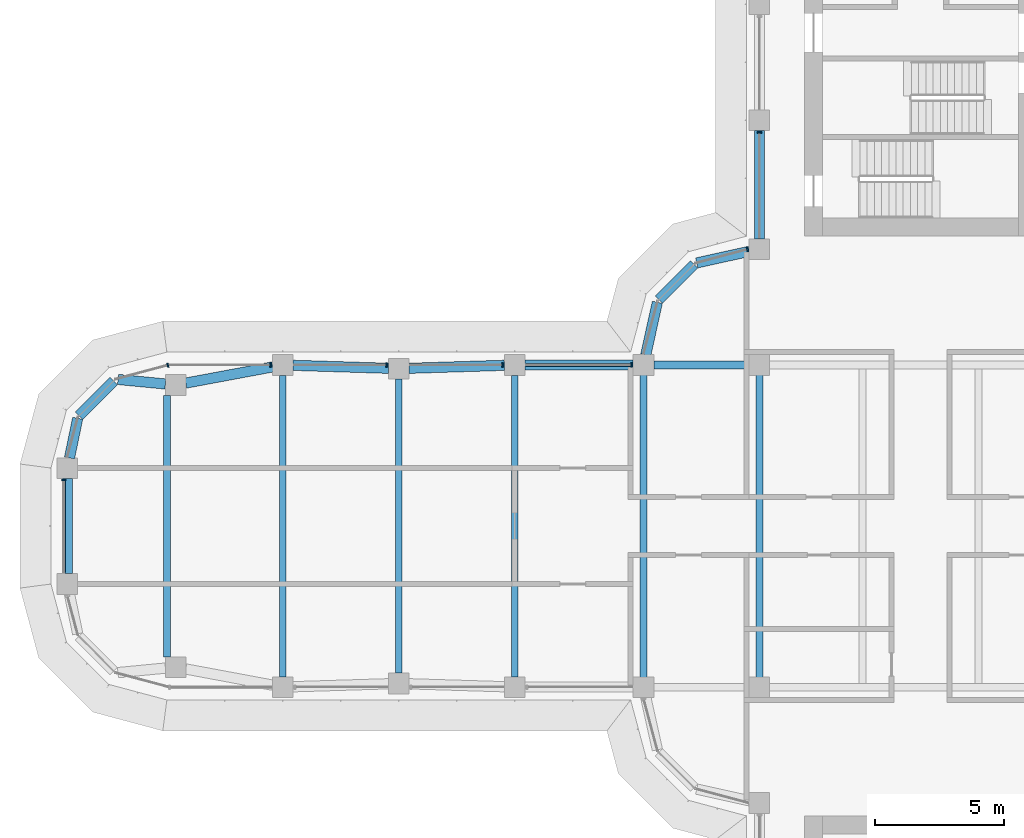
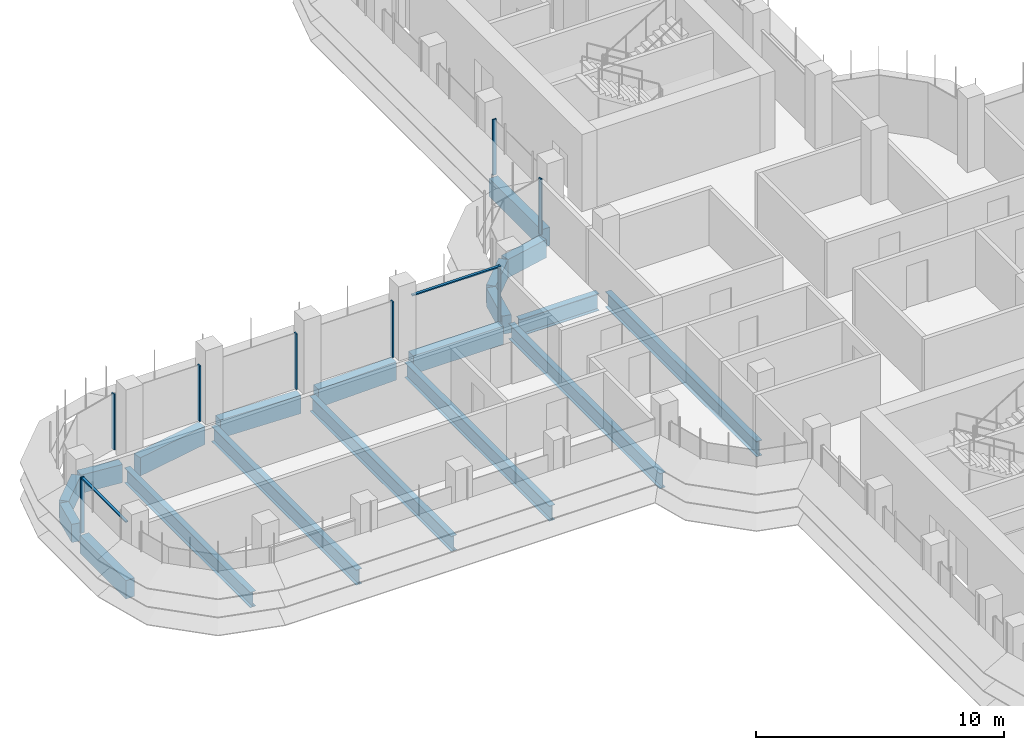
# One storey, part 6 of 19: 19 beams, 10 members, 5 elements without a shape of their own.
"""IFC4 building model written with IfcOpenShell, lengths in metres."""

from ifc_helpers import new_model, si_unit, direction, frame, origin, origin_2d, place, context, subcontext, project, spatial, polyline, rectangle, i_section, outline, extrude, source, transform, mapped, material, material_profile, profile_set, type_object, element, aggregate, save


model = new_model("IFC4")

# Units and contexts
model_context = context("Model", 3, precision=1e-05, world=origin(), true_north=direction((0.0, 1.0)))
body_context = subcontext(model_context, "Body", "Model", "MODEL_VIEW")
ifc_project = project(units=[si_unit("LENGTHUNIT", "METRE"), si_unit("AREAUNIT", "SQUARE_METRE"), si_unit("VOLUMEUNIT", "CUBIC_METRE"), si_unit("PLANEANGLEUNIT", "RADIAN"), si_unit("MASSUNIT", "GRAM", prefix="KILO")], contexts=[model_context])

# Site, building, storey
site_placement = place(None, origin())
site = spatial("IfcSite", under=ifc_project, at=site_placement, CompositionType="ELEMENT")
building_placement = place(site_placement, origin())
building = spatial("IfcBuilding", under=site, at=building_placement, Name="Zarbagh Exchange Tower", CompositionType="ELEMENT")
storey_placement = place(building_placement, frame((0.0, 0.0, 175.199951171875)))
storey = spatial("IfcBuildingStorey", under=building, at=storey_placement, Name="L42", CompositionType="ELEMENT", Elevation=175.199951171875)

# Beams
ifc_material_1 = material(Name="Steel ASTM A992 Gr 50", Category="steel")
ifc_material_profile_1 = material_profile(ifc_material_1, i_section(OverallWidth=0.26416015625, OverallDepth=0.749267578125, WebThickness=0.011962890625, FlangeThickness=0.015380859375, at=origin_2d()), Name="W30X90")
ifc_profile_set_1 = profile_set([ifc_material_profile_1], Name="Steel ASTM A992 Gr 50")
beam_type_1 = type_object("IfcBeamType", Name="Floor beam W30X90", PredefinedType="BEAM", material=ifc_profile_set_1)
for number, where, z_axis, x_axis, name in (
    (1, (-10.75, -6.10400390625, -0.524658203125), (0.0, 1.0, 0.0), (-1.0, 0.0, 0.0), "Steel floor beam"),
    (2, (-6.25, -6.10400390625, -0.524658203125), (0.0, 1.0, 0.0), (-1.0, 0.0, 0.0), "Steel floor beam"),
):
    element("IfcBeam", number, at=place(storey_placement, frame(where, z_axis=z_axis, x_axis=x_axis)), inside=storey, type_object=beam_type_1, Name=name, PredefinedType="BEAM", context=body_context, shape_type="SweptSolid", body=[
        extrude(i_section(OverallWidth=0.26416015625, OverallDepth=0.749267578125, WebThickness=0.011962890625, FlangeThickness=0.015380859375, at=origin_2d()), origin(), (0.0, 0.0, 1.0), 12.2080078125),
    ])
beam_1_placement = place(storey_placement, frame((-15.75, -5.85009765625, -0.524658203125), z_axis=(0.0, 1.0, 0.0), x_axis=(-1.0, 0.0, 0.0)))
element("IfcBeam", 3, at=beam_1_placement, inside=storey, type_object=beam_type_1, Name="Steel floor beam", PredefinedType="BEAM", context=body_context, shape_type="SweptSolid", body=[
    extrude(i_section(OverallWidth=0.26416015625, OverallDepth=0.749267578125, WebThickness=0.011962890625, FlangeThickness=0.015380859375, at=origin_2d()), origin(), (0.0, 0.0, 1.0), 11.7001953125),
])
beam_2_placement = place(storey_placement, frame((-20.25, -5.7099609375, -0.524658203125), z_axis=(0.0, 1.0, 0.0), x_axis=(-1.0, 0.0, 0.0)))
element("IfcBeam", 4, at=beam_2_placement, inside=storey, type_object=beam_type_1, Name="Steel floor beam", PredefinedType="BEAM", context=body_context, shape_type="SweptSolid", body=[
    extrude(i_section(OverallWidth=0.26416015625, OverallDepth=0.749267578125, WebThickness=0.011962890625, FlangeThickness=0.015380859375, at=origin_2d()), origin(), (0.0, 0.0, 1.0), 11.419921875),
])
beam_3_placement = place(storey_placement, frame((-24.75, -5.85009765625, -0.524658203125), z_axis=(0.0, 1.0, 0.0), x_axis=(-1.0, 0.0, 0.0)))
element("IfcBeam", 5, at=beam_3_placement, inside=storey, type_object=beam_type_1, Name="Steel floor beam", PredefinedType="BEAM", context=body_context, shape_type="SweptSolid", body=[
    extrude(i_section(OverallWidth=0.26416015625, OverallDepth=0.749267578125, WebThickness=0.011962890625, FlangeThickness=0.015380859375, at=origin_2d()), origin(), (0.0, 0.0, 1.0), 11.7001953125),
])
beam_4_placement = place(storey_placement, frame((-29.25, -5.074951171875, -0.524658203125), z_axis=(0.0, 1.0, 0.0), x_axis=(-1.0, 0.0, 0.0)))
element("IfcBeam", 6, at=beam_4_placement, inside=storey, type_object=beam_type_1, Name="Steel floor beam", PredefinedType="BEAM", context=body_context, shape_type="SweptSolid", body=[
    extrude(i_section(OverallWidth=0.26416015625, OverallDepth=0.749267578125, WebThickness=0.011962890625, FlangeThickness=0.015380859375, at=origin_2d()), origin(), (0.0, 0.0, 1.0), 10.14990234375),
])
ifc_material_profile_2 = material_profile(ifc_material_1, i_section(OverallWidth=0.2919921875, OverallDepth=0.835693359375, WebThickness=0.013916015625, FlangeThickness=0.018798828125, at=origin_2d()), Name="W33X118")
ifc_profile_set_2 = profile_set([ifc_material_profile_2], Name="Steel ASTM A992 Gr 50")
beam_type_2 = type_object("IfcBeamType", Name="Floor girder W33X118", PredefinedType="BEAM", material=ifc_profile_set_2)
beam_5_placement = place(storey_placement, frame((-10.35009765625, 6.25, -0.56787109375), z_axis=(1.0, 0.0, 0.0), x_axis=(0.0, 1.0, 0.0)))
element("IfcBeam", 7, at=beam_5_placement, inside=storey, type_object=beam_type_2, Name="Steel girder", PredefinedType="BEAM", context=body_context, shape_type="SweptSolid", body=[
    extrude(i_section(OverallWidth=0.2919921875, OverallDepth=0.835693359375, WebThickness=0.013916015625, FlangeThickness=0.018798828125, at=origin_2d()), origin(), (0.0, 0.0, 1.0), 3.7001953125),
])
ifc_material_2 = material(Name="Concrete C50/60", Category="concrete")
ifc_material_profile_3 = material_profile(ifc_material_2, rectangle(XDim=0.39990234375, YDim=0.89990234375, at=origin_2d()), Name="RC spandrel beam 400 x 900 C50/60")
ifc_profile_set_3 = profile_set([ifc_material_profile_3], Name="Concrete C50/60")
beam_type_3 = type_object("IfcBeamType", Name="RC spandrel beam 400 x 900 C50/60", PredefinedType="SPANDREL", material=ifc_profile_set_3)
beam_6_placement = place(storey_placement, frame((-33.110107421875, -1.85009765625, -0.599853515625), z_axis=(0.0, 1.0, 0.0), x_axis=(-1.0, 0.0, 0.0)))
element("IfcBeam", 8, at=beam_6_placement, inside=storey, type_object=beam_type_3, Name="RC spandrel beam", PredefinedType="SPANDREL", context=body_context, shape_type="SweptSolid", body=[
    extrude(rectangle(XDim=0.39990234375, YDim=0.89990234375, at=origin_2d()), origin(), (0.0, 0.0, 1.0), 3.7001953125),
])
beam_7_placement = place(storey_placement, frame((-33.029052734375, 2.6416015625, -0.599853515625), z_axis=(0.20216948151, 0.979350550491, 0.0), x_axis=(-0.979350550491, 0.20216948151, 0.0)))
element("IfcBeam", 9, at=beam_7_placement, inside=storey, type_object=beam_type_3, Name="RC spandrel beam", PredefinedType="SPANDREL", context=body_context, shape_type="SweptSolid", body=[
    extrude(rectangle(XDim=0.39990234375, YDim=0.89990234375, at=origin_2d()), origin(), (0.0, 0.0, 1.0), 1.573486328125),
])
beam_8_placement = place(storey_placement, frame((-32.656494140625, 4.283447265625, -0.599853515625), z_axis=(0.707106781187, 0.707106781187, 0.0), x_axis=(-0.707106781187, 0.707106781187, 0.0)))
element("IfcBeam", 10, at=beam_8_placement, inside=storey, type_object=beam_type_3, Name="RC spandrel beam", PredefinedType="SPANDREL", context=body_context, shape_type="SweptSolid", body=[
    extrude(rectangle(XDim=0.39990234375, YDim=0.89990234375, at=origin_2d()), origin(), (0.0, 0.0, 1.0), 1.9072265625),
])
beam_9_placement = place(storey_placement, frame((-31.147216796875, 5.689697265625, -0.599853515625), z_axis=(0.995435353267, -0.095438239015, 0.0), x_axis=(0.095438239015, 0.995435353267, 0.0)))
element("IfcBeam", 11, at=beam_9_placement, inside=storey, type_object=beam_type_3, Name="RC spandrel beam", PredefinedType="SPANDREL", context=body_context, shape_type="SweptSolid", body=[
    extrude(rectangle(XDim=0.39990234375, YDim=0.89990234375, at=origin_2d()), origin(), (0.0, 0.0, 1.0), 1.849609375),
])
beam_10_placement = place(storey_placement, frame((-28.514892578125, 5.54833984375, -0.599853515625), z_axis=(0.983069862768, 0.183231124313, 0.0), x_axis=(-0.183231124313, 0.983069862768, 0.0)))
element("IfcBeam", 12, at=beam_10_placement, inside=storey, type_object=beam_type_3, Name="RC spandrel beam", PredefinedType="SPANDREL", context=body_context, shape_type="SweptSolid", body=[
    extrude(rectangle(XDim=0.39990234375, YDim=0.89990234375, at=origin_2d()), origin(), (0.0, 0.0, 1.0), 3.4296875),
])
for number, where, z_axis, x_axis, name in (
    (13, (-24.35009765625, 6.237548828125, -0.599853515625), (0.999515416033, -0.031127690444, 0.0), (0.031127690444, 0.999515416033, 0.0), "RC spandrel beam"),
    (14, (-19.85009765625, 6.122314453125, -0.599853515625), (0.999515416033, 0.031127690444, 0.0), (-0.031127690444, 0.999515416033, 0.0), "RC spandrel beam"),
):
    element("IfcBeam", number, at=place(storey_placement, frame(where, z_axis=z_axis, x_axis=x_axis)), inside=storey, type_object=beam_type_3, Name=name, PredefinedType="SPANDREL", context=body_context, shape_type="SweptSolid", body=[
        extrude(rectangle(XDim=0.39990234375, YDim=0.89990234375, at=origin_2d()), origin(), (0.0, 0.0, 1.0), 3.701904296875),
    ])
beam_11_placement = place(storey_placement, frame((-15.35009765625, 6.25, -0.599853515625), z_axis=(1.0, 0.0, 0.0), x_axis=(0.0, 1.0, 0.0)))
element("IfcBeam", 15, at=beam_11_placement, inside=storey, type_object=beam_type_3, Name="RC spandrel beam", PredefinedType="SPANDREL", context=body_context, shape_type="SweptSolid", body=[
    extrude(rectangle(XDim=0.39990234375, YDim=0.89990234375, at=origin_2d()), origin(), (0.0, 0.0, 1.0), 4.2001953125),
])
beam_12_placement = place(storey_placement, frame((-10.66357421875, 6.640625, -0.599853515625), z_axis=(0.216041061437, 0.976384278741, 0.0), x_axis=(-0.976384278741, 0.216041061437, 0.0)))
element("IfcBeam", 16, at=beam_12_placement, inside=storey, type_object=beam_type_3, Name="RC spandrel beam", PredefinedType="SPANDREL", context=body_context, shape_type="SweptSolid", body=[
    extrude(rectangle(XDim=0.39990234375, YDim=0.89990234375, at=origin_2d()), origin(), (0.0, 0.0, 1.0), 2.0927734375),
])
beam_13_placement = place(storey_placement, frame((-10.15771484375, 8.782470703125, -0.599853515625), z_axis=(0.707106781187, 0.707106781187, 0.0), x_axis=(-0.707106781187, 0.707106781187, 0.0)))
element("IfcBeam", 17, at=beam_13_placement, inside=storey, type_object=beam_type_3, Name="RC spandrel beam", PredefinedType="SPANDREL", context=body_context, shape_type="SweptSolid", body=[
    extrude(rectangle(XDim=0.39990234375, YDim=0.89990234375, at=origin_2d()), origin(), (0.0, 0.0, 1.0), 1.94482421875),
])
beam_14_placement = place(storey_placement, frame((-8.68408203125, 10.21142578125, -0.599853515625), z_axis=(0.976384278741, 0.216041061437, 0.0), x_axis=(-0.216041061437, 0.976384278741, 0.0)))
element("IfcBeam", 18, at=beam_14_placement, inside=storey, type_object=beam_type_3, Name="RC spandrel beam", PredefinedType="SPANDREL", context=body_context, shape_type="SweptSolid", body=[
    extrude(rectangle(XDim=0.39990234375, YDim=0.89990234375, at=origin_2d()), origin(), (0.0, 0.0, 1.0), 2.0927734375),
])
beam_15_placement = place(storey_placement, frame((-6.25, 11.14990234375, -0.599853515625), z_axis=(0.0, 1.0, 0.0), x_axis=(-1.0, 0.0, 0.0)))
element("IfcBeam", 19, at=beam_15_placement, inside=storey, type_object=beam_type_3, Name="RC spandrel beam", PredefinedType="SPANDREL", context=body_context, shape_type="SweptSolid", body=[
    extrude(rectangle(XDim=0.39990234375, YDim=0.89990234375, at=origin_2d()), origin(), (0.0, 0.0, 1.0), 4.2001953125),
])

# Curtain wall, member
ifc_material_3 = material(Name="Anodised aluminium frame and glazing", Category="aluminium")
curtain_wall_type = type_object("IfcCurtainWallType", Name="CWB Ribbon glazing, upper zones", PredefinedType="NOTDEFINED", material=ifc_material_3)
curtain_wall_1_placement = place(storey_placement, origin())
curtain_wall_1 = element("IfcCurtainWall", 20, at=curtain_wall_1_placement, inside=storey, type_object=curtain_wall_type, Name="CWB28 curtain wall", PredefinedType="NOTDEFINED")
ifc_material_4 = material(Name="Anodised aluminium frame", Category="aluminium")
member_type_1 = type_object("IfcMemberType", Name="MUB Mullion, anodised aluminium frame", PredefinedType="MULLION", material=ifc_material_4)
shared_shape_1 = source(origin(), body_context, "Body", "SweptSolid", [
    extrude(outline(polyline([(0.0, -0.080078125), (0.06005859375, -0.080078125), (0.06005859375, 0.080078125), (0.0, 0.080078125), (0.0, -0.080078125)])), origin(), (0.0, 0.0, 1.0), 2.75),
])
placement = place(storey_placement, origin())
member_1 = element("IfcMember", 21, at=placement, type_object=member_type_1, Name="CWB28 mullion 4.1", PredefinedType="MULLION", context=body_context, shape_type="MappedRepresentation", body=[
    mapped(shared_shape_1, transform((-6.25, 15.31005859375, 0.0), x_axis=(0.0, -1.0, 0.0), y_axis=(1.0, 0.0, 0.0), z_axis=(0.0, 0.0, 1.0))),
])
aggregate(curtain_wall_1, [member_1])

curtain_wall_2_placement = place(storey_placement, origin())
curtain_wall_2 = element("IfcCurtainWall", 22, at=curtain_wall_2_placement, inside=storey, type_object=curtain_wall_type, Name="CWB29 curtain wall", PredefinedType="NOTDEFINED")
member_2 = element("IfcMember", 23, at=placement, type_object=member_type_1, Name="CWB29 mullion 1.1", PredefinedType="MULLION", context=body_context, shape_type="MappedRepresentation", body=[
    mapped(shared_shape_1, transform((-6.68994140625, 10.74853515625, 0.0), x_axis=(-0.965924289636, -0.258824779902, 0.0), y_axis=(0.258824779902, -0.965924289636, 0.0), z_axis=(0.0, 0.0, 1.0))),
])
aggregate(curtain_wall_2, [member_2])

# Curtain wall, members
curtain_wall_3_placement = place(storey_placement, origin())
curtain_wall_3 = element("IfcCurtainWall", 24, at=curtain_wall_3_placement, inside=storey, type_object=curtain_wall_type, Name="CWB32 curtain wall", PredefinedType="NOTDEFINED")
member_3 = element("IfcMember", 25, at=placement, type_object=member_type_1, Name="CWB32 mullion 1.1", PredefinedType="MULLION", context=body_context, shape_type="MappedRepresentation", body=[
    mapped(shared_shape_1, transform((-11.18994140625, 6.25, 0.0), x_axis=(-1.0, 0.0, 0.0), y_axis=(0.0, -1.0, 0.0), z_axis=(0.0, 0.0, 1.0))),
])
member_4 = element("IfcMember", 26, at=placement, type_object=member_type_1, Name="CWB32 mullion 2.1", PredefinedType="MULLION", context=body_context, shape_type="MappedRepresentation", body=[
    mapped(shared_shape_1, transform((-16.18994140625, 6.25, 0.0), x_axis=(-1.0, 0.0, 0.0), y_axis=(0.0, -1.0, 0.0), z_axis=(0.0, 0.0, 1.0))),
])
member_5 = element("IfcMember", 27, at=placement, type_object=member_type_1, Name="CWB32 mullion 3.1", PredefinedType="MULLION", context=body_context, shape_type="MappedRepresentation", body=[
    mapped(shared_shape_1, transform((-20.68994140625, 6.25, 0.0), x_axis=(-1.0, 0.0, 0.0), y_axis=(0.0, -1.0, 0.0), z_axis=(0.0, 0.0, 1.0))),
])
member_6 = element("IfcMember", 28, at=placement, type_object=member_type_1, Name="CWB32 mullion 4.1", PredefinedType="MULLION", context=body_context, shape_type="MappedRepresentation", body=[
    mapped(shared_shape_1, transform((-25.18994140625, 6.25, 0.0), x_axis=(-1.0, 0.0, 0.0), y_axis=(0.0, -1.0, 0.0), z_axis=(0.0, 0.0, 1.0))),
])

# Curtain wall, member
curtain_wall_4_placement = place(storey_placement, origin())
curtain_wall_4 = element("IfcCurtainWall", 29, at=curtain_wall_4_placement, inside=storey, type_object=curtain_wall_type, Name="CWB33 curtain wall", PredefinedType="NOTDEFINED")
member_7 = element("IfcMember", 30, at=placement, type_object=member_type_1, Name="CWB33 mullion 1.1", PredefinedType="MULLION", context=body_context, shape_type="MappedRepresentation", body=[
    mapped(shared_shape_1, transform((-29.18408203125, 6.25, 0.0), x_axis=(-0.965924289636, -0.258824779902, 0.0), y_axis=(0.258824779902, -0.965924289636, 0.0), z_axis=(0.0, 0.0, 1.0))),
])
aggregate(curtain_wall_4, [member_7])

curtain_wall_5_placement = place(storey_placement, origin())
curtain_wall_5 = element("IfcCurtainWall", 31, at=curtain_wall_5_placement, inside=storey, type_object=curtain_wall_type, Name="CWB36 curtain wall", PredefinedType="NOTDEFINED")
member_8 = element("IfcMember", 32, at=placement, type_object=member_type_1, Name="CWB36 mullion 1.1", PredefinedType="MULLION", context=body_context, shape_type="MappedRepresentation", body=[
    mapped(shared_shape_1, transform((-33.25, 1.81005859375, 0.0), x_axis=(0.0, -1.0, 0.0), y_axis=(1.0, 0.0, 0.0), z_axis=(0.0, 0.0, 1.0))),
])

# Member
member_type_2 = type_object("IfcMemberType", Name="TRB Transom, anodised aluminium frame", PredefinedType="USERDEFINED", material=ifc_material_4)
shared_shape_2 = source(origin(), body_context, "Body", "SweptSolid", [
    extrude(outline(polyline([(-0.06005859375, -0.06005859375), (0.0, -0.06005859375), (0.0, 0.06005859375), (-0.06005859375, 0.06005859375), (-0.06005859375, -0.06005859375)])), origin(), (0.0, 0.0, 1.0), 4.06005859375),
])
member_9 = element("IfcMember", 33, at=placement, type_object=member_type_2, Name="CWB32 transom 1.1", ObjectType="TRANSOM", PredefinedType="USERDEFINED", context=body_context, shape_type="MappedRepresentation", body=[
    mapped(shared_shape_2, transform((-11.25, 6.25, 2.75), x_axis=(0.0, 0.0, 1.0), y_axis=(0.0, 1.0, 0.0), z_axis=(-1.0, 0.0, 0.0))),
])

aggregate(curtain_wall_3, [member_3, member_9, member_4, member_5, member_6])

shared_shape_3 = source(origin(), body_context, "Body", "SweptSolid", [
    extrude(outline(polyline([(-0.06005859375, -0.06005859375), (0.0, -0.06005859375), (0.0, 0.06005859375), (-0.06005859375, 0.06005859375), (-0.06005859375, -0.06005859375)])), origin(), (0.0, 0.0, 1.0), 3.56005859375),
])
member_10 = element("IfcMember", 34, at=placement, type_object=member_type_2, Name="CWB36 transom 1.1", ObjectType="TRANSOM", PredefinedType="USERDEFINED", context=body_context, shape_type="MappedRepresentation", body=[
    mapped(shared_shape_3, transform((-33.25, 1.75, 2.75), x_axis=(0.0, 0.0, 1.0), y_axis=(-1.0, 0.0, 0.0), z_axis=(0.0, -1.0, 0.0))),
])

aggregate(curtain_wall_5, [member_8, member_10])

save(model, "model.ifc")
